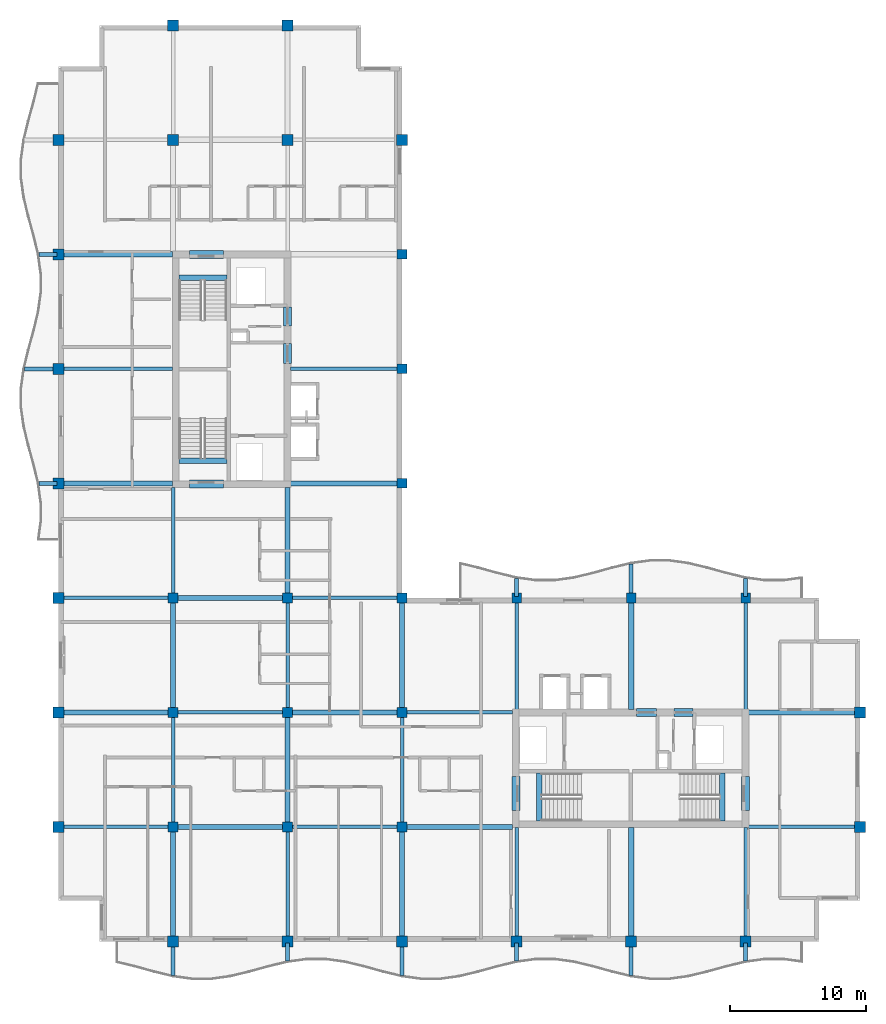
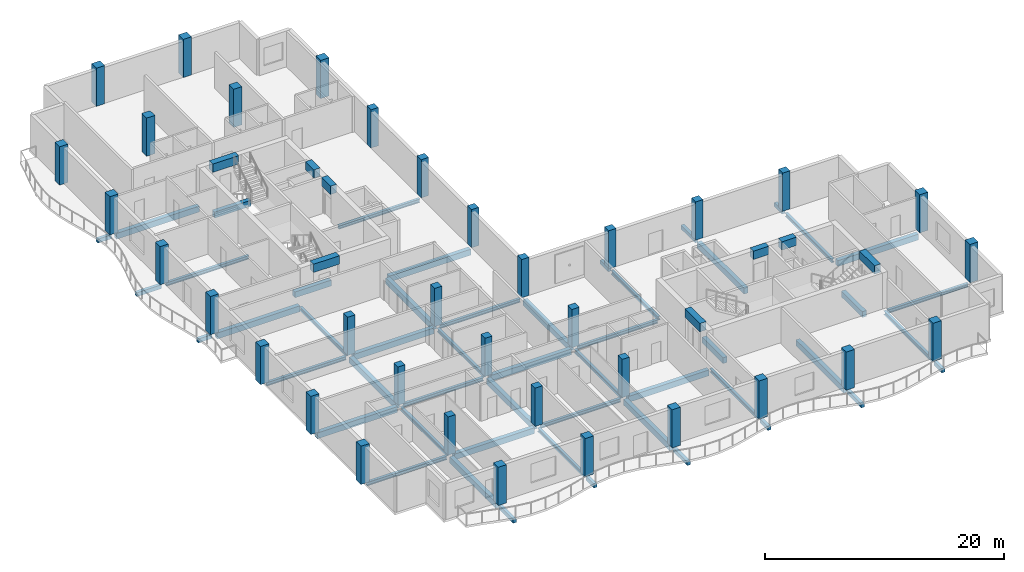
# One storey, part 1 of 12: 59 beams, 35 columns.
"""IFC4 building model written with IfcOpenShell, lengths in metres."""

from ifc_helpers import new_model, si_unit, direction, frame, origin, origin_2d, place, context, subcontext, project, spatial, rectangle, i_section, extrude, material, material_profile, profile_set, type_object, element, save


model = new_model("IFC4")

# Units and contexts
model_context = context("Model", 3, precision=1e-05, world=origin(), true_north=direction((0.0, 1.0)))
body_context = subcontext(model_context, "Body", "Model", "MODEL_VIEW")
ifc_project = project(units=[si_unit("LENGTHUNIT", "METRE"), si_unit("AREAUNIT", "SQUARE_METRE"), si_unit("VOLUMEUNIT", "CUBIC_METRE"), si_unit("PLANEANGLEUNIT", "RADIAN"), si_unit("MASSUNIT", "GRAM", prefix="KILO")], contexts=[model_context])

# Site, building, storey
site_placement = place(None, origin())
site = spatial("IfcSite", under=ifc_project, at=site_placement, CompositionType="ELEMENT")
building_placement = place(site_placement, origin())
building = spatial("IfcBuilding", under=site, at=building_placement, Name="Koriwani Terraces Tower", CompositionType="ELEMENT")
storey_placement = place(building_placement, frame((0.0, 0.0, 328.10009765625)))
storey = spatial("IfcBuildingStorey", under=building, at=storey_placement, Name="L81", CompositionType="ELEMENT", Elevation=328.10009765625)

# Columns
ifc_material_1 = material(Name="Concrete C50/60", Category="concrete")
ifc_material_profile_1 = material_profile(ifc_material_1, rectangle(XDim=0.699951171875, YDim=0.699951171875, at=origin_2d()), Name="Concrete C50/60", Category="LoadBearing")
ifc_profile_set_1 = profile_set([ifc_material_profile_1], Name="Concrete C50/60")
column_type_1 = type_object("IfcColumnType", Name="COL_RC_700X700", PredefinedType="COLUMN", material=ifc_profile_set_1)
for number, where, z_axis, x_axis, name in (
    (1, (16.800048828125, 16.800048828125, 0.0), (0.0, 0.0, 1.0), (1.0, 0.0, 0.0), "L81 Column 3/C"),
    (2, (16.800048828125, 25.199951171875, 0.0), (0.0, 0.0, 1.0), (1.0, 0.0, 0.0), "L81 Column 3/D"),
    (3, (16.800048828125, 33.60009765625, 0.0), (0.0, 0.0, 1.0), (1.0, 0.0, 0.0), "L81 Column 3/E"),
    (4, (25.199951171875, 16.800048828125, 0.0), (0.0, 0.0, 1.0), (1.0, 0.0, 0.0), "L81 Column 4/C"),
    (5, (25.199951171875, 25.199951171875, 0.0), (0.0, 0.0, 1.0), (1.0, 0.0, 0.0), "L81 Column 4/D"),
    (6, (25.199951171875, 33.60009765625, 0.0), (0.0, 0.0, 1.0), (1.0, 0.0, 0.0), "L81 Column 4/E"),
    (7, (33.60009765625, 16.800048828125, 0.0), (0.0, 0.0, 1.0), (1.0, 0.0, 0.0), "L81 Column 5/C"),
    (8, (33.60009765625, 25.199951171875, 0.0), (0.0, 0.0, 1.0), (1.0, 0.0, 0.0), "L81 Column 5/D"),
    (9, (33.60009765625, 33.60009765625, 0.0), (0.0, 0.0, 1.0), (1.0, 0.0, 0.0), "L81 Column 5/E"),
    (10, (33.60009765625, 42.0, 0.0), (0.0, 0.0, 1.0), (1.0, 0.0, 0.0), "L81 Column 5/F"),
    (11, (33.60009765625, 50.39990234375, 0.0), (0.0, 0.0, 1.0), (1.0, 0.0, 0.0), "L81 Column 5/G"),
    (12, (33.60009765625, 58.800048828125, 0.0), (0.0, 0.0, 1.0), (1.0, 0.0, 0.0), "L81 Column 5/H"),
    (13, (42.0, 33.60009765625, 0.0), (0.0, 0.0, 1.0), (1.0, 0.0, 0.0), "L81 Column 6/E"),
    (14, (50.39990234375, 33.60009765625, 0.0), (0.0, 0.0, 1.0), (1.0, 0.0, 0.0), "L81 Column 7/E"),
    (15, (58.800048828125, 33.60009765625, 0.0), (0.0, 0.0, 1.0), (1.0, 0.0, 0.0), "L81 Column 8/E"),
):
    element("IfcColumn", number, at=place(storey_placement, frame(where, z_axis=z_axis, x_axis=x_axis)), inside=storey, type_object=column_type_1, Name=name, PredefinedType="COLUMN", context=body_context, shape_type="SweptSolid", body=[
        extrude(rectangle(XDim=0.699951171875, YDim=0.699951171875, at=origin_2d()), origin(), (0.0, 0.0, 1.0), 3.89990234375),
    ])
ifc_material_profile_2 = material_profile(ifc_material_1, rectangle(XDim=0.800048828125, YDim=0.800048828125, at=origin_2d()), Name="Concrete C50/60", Category="LoadBearing")
ifc_profile_set_2 = profile_set([ifc_material_profile_2], Name="Concrete C50/60")
column_type_2 = type_object("IfcColumnType", Name="COL_RC_800X800", PredefinedType="COLUMN", material=ifc_profile_set_2)
for number, where, z_axis, x_axis, name in (
    (16, (8.39990234375, 16.800048828125, 0.0), (0.0, 0.0, 1.0), (1.0, 0.0, 0.0), "L81 Column 2/C"),
    (17, (8.39990234375, 25.199951171875, 0.0), (0.0, 0.0, 1.0), (1.0, 0.0, 0.0), "L81 Column 2/D"),
    (18, (8.39990234375, 33.60009765625, 0.0), (0.0, 0.0, 1.0), (1.0, 0.0, 0.0), "L81 Column 2/E"),
    (19, (8.39990234375, 42.0, 0.0), (0.0, 0.0, 1.0), (1.0, 0.0, 0.0), "L81 Column 2/F"),
    (20, (8.39990234375, 50.39990234375, 0.0), (0.0, 0.0, 1.0), (1.0, 0.0, 0.0), "L81 Column 2/G"),
    (21, (8.39990234375, 58.800048828125, 0.0), (0.0, 0.0, 1.0), (1.0, 0.0, 0.0), "L81 Column 2/H"),
    (22, (8.39990234375, 67.199951171875, 0.0), (0.0, 0.0, 1.0), (1.0, 0.0, 0.0), "L81 Column 2/I"),
    (23, (16.800048828125, 8.39990234375, 0.0), (0.0, 0.0, 1.0), (1.0, 0.0, 0.0), "L81 Column 3/B"),
    (24, (16.800048828125, 67.199951171875, 0.0), (0.0, 0.0, 1.0), (1.0, 0.0, 0.0), "L81 Column 3/I"),
    (25, (16.800048828125, 75.60009765625, 0.0), (0.0, 0.0, 1.0), (1.0, 0.0, 0.0), "L81 Column 3/J"),
    (26, (25.199951171875, 8.39990234375, 0.0), (0.0, 0.0, 1.0), (1.0, 0.0, 0.0), "L81 Column 4/B"),
    (27, (25.199951171875, 67.199951171875, 0.0), (0.0, 0.0, 1.0), (1.0, 0.0, 0.0), "L81 Column 4/I"),
    (28, (25.199951171875, 75.60009765625, 0.0), (0.0, 0.0, 1.0), (1.0, 0.0, 0.0), "L81 Column 4/J"),
    (29, (33.60009765625, 8.39990234375, 0.0), (0.0, 0.0, 1.0), (1.0, 0.0, 0.0), "L81 Column 5/B"),
    (30, (33.60009765625, 67.199951171875, 0.0), (0.0, 0.0, 1.0), (1.0, 0.0, 0.0), "L81 Column 5/I"),
    (31, (42.0, 8.39990234375, 0.0), (0.0, 0.0, 1.0), (1.0, 0.0, 0.0), "L81 Column 6/B"),
    (32, (50.39990234375, 8.39990234375, 0.0), (0.0, 0.0, 1.0), (1.0, 0.0, 0.0), "L81 Column 7/B"),
    (33, (58.800048828125, 8.39990234375, 0.0), (0.0, 0.0, 1.0), (1.0, 0.0, 0.0), "L81 Column 8/B"),
    (34, (67.199951171875, 16.800048828125, 0.0), (0.0, 0.0, 1.0), (1.0, 0.0, 0.0), "L81 Column 9/C"),
    (35, (67.199951171875, 25.199951171875, 0.0), (0.0, 0.0, 1.0), (1.0, 0.0, 0.0), "L81 Column 9/D"),
):
    element("IfcColumn", number, at=place(storey_placement, frame(where, z_axis=z_axis, x_axis=x_axis)), inside=storey, type_object=column_type_2, Name=name, PredefinedType="COLUMN", context=body_context, shape_type="SweptSolid", body=[
        extrude(rectangle(XDim=0.800048828125, YDim=0.800048828125, at=origin_2d()), origin(), (0.0, 0.0, 1.0), 3.89990234375),
    ])

# Beams
ifc_material_2 = material(Name="Concrete C40/50", Category="concrete")
ifc_material_profile_3 = material_profile(ifc_material_2, rectangle(XDim=0.300048828125, YDim=0.39990234375, at=origin_2d()), Name="Concrete C40/50", Category="LoadBearing")
ifc_profile_set_3 = profile_set([ifc_material_profile_3], Name="Concrete C40/50")
beam_type_1 = type_object("IfcBeamType", Name="BEAM_RC_BALCONY_RIB_300X400", PredefinedType="JOIST", material=ifc_profile_set_3)
beam_1_placement = place(storey_placement, frame((16.800048828125, 5.919677734375, -0.43017578125), z_axis=(0.0, 1.0, 0.0), x_axis=(-1.0, 0.0, 0.0)))
element("IfcBeam", 36, at=beam_1_placement, inside=storey, type_object=beam_type_1, Name="L81 Balcony Bracket Rib S-1", PredefinedType="JOIST", context=body_context, shape_type="SweptSolid", body=[
    extrude(rectangle(XDim=0.300048828125, YDim=0.39990234375, at=origin_2d()), origin(), (0.0, 0.0, 1.0), 2.38037109375),
])
beam_2_placement = place(storey_placement, frame((25.199951171875, 6.980224609375, -0.43017578125), z_axis=(0.0, 1.0, 0.0), x_axis=(-1.0, 0.0, 0.0)))
element("IfcBeam", 37, at=beam_2_placement, inside=storey, type_object=beam_type_1, Name="L81 Balcony Bracket Rib S-2", PredefinedType="JOIST", context=body_context, shape_type="SweptSolid", body=[
    extrude(rectangle(XDim=0.300048828125, YDim=0.39990234375, at=origin_2d()), origin(), (0.0, 0.0, 1.0), 1.31982421875),
])
beam_3_placement = place(storey_placement, frame((33.60009765625, 5.919677734375, -0.43017578125), z_axis=(0.0, 1.0, 0.0), x_axis=(-1.0, 0.0, 0.0)))
element("IfcBeam", 38, at=beam_3_placement, inside=storey, type_object=beam_type_1, Name="L81 Balcony Bracket Rib S-3", PredefinedType="JOIST", context=body_context, shape_type="SweptSolid", body=[
    extrude(rectangle(XDim=0.300048828125, YDim=0.39990234375, at=origin_2d()), origin(), (0.0, 0.0, 1.0), 2.38037109375),
])
beam_4_placement = place(storey_placement, frame((42.0, 6.980224609375, -0.43017578125), z_axis=(0.0, 1.0, 0.0), x_axis=(-1.0, 0.0, 0.0)))
element("IfcBeam", 39, at=beam_4_placement, inside=storey, type_object=beam_type_1, Name="L81 Balcony Bracket Rib S-4", PredefinedType="JOIST", context=body_context, shape_type="SweptSolid", body=[
    extrude(rectangle(XDim=0.300048828125, YDim=0.39990234375, at=origin_2d()), origin(), (0.0, 0.0, 1.0), 1.31982421875),
])
beam_5_placement = place(storey_placement, frame((50.39990234375, 5.919677734375, -0.43017578125), z_axis=(0.0, 1.0, 0.0), x_axis=(-1.0, 0.0, 0.0)))
element("IfcBeam", 40, at=beam_5_placement, inside=storey, type_object=beam_type_1, Name="L81 Balcony Bracket Rib S-5", PredefinedType="JOIST", context=body_context, shape_type="SweptSolid", body=[
    extrude(rectangle(XDim=0.300048828125, YDim=0.39990234375, at=origin_2d()), origin(), (0.0, 0.0, 1.0), 2.38037109375),
])
for number, where, z_axis, x_axis, name in (
    (41, (58.800048828125, 6.980224609375, -0.43017578125), (0.0, 1.0, 0.0), (-1.0, 0.0, 0.0), "L81 Balcony Bracket Rib S-6"),
    (42, (6.980224609375, 42.0, -0.43017578125), (1.0, 0.0, 0.0), (0.0, 1.0, 0.0), "L81 Balcony Bracket Rib W-1"),
):
    element("IfcBeam", number, at=place(storey_placement, frame(where, z_axis=z_axis, x_axis=x_axis)), inside=storey, type_object=beam_type_1, Name=name, PredefinedType="JOIST", context=body_context, shape_type="SweptSolid", body=[
        extrude(rectangle(XDim=0.300048828125, YDim=0.39990234375, at=origin_2d()), origin(), (0.0, 0.0, 1.0), 1.31982421875),
    ])
beam_6_placement = place(storey_placement, frame((5.919677734375, 50.39990234375, -0.43017578125), z_axis=(1.0, 0.0, 0.0), x_axis=(0.0, 1.0, 0.0)))
element("IfcBeam", 43, at=beam_6_placement, inside=storey, type_object=beam_type_1, Name="L81 Balcony Bracket Rib W-2", PredefinedType="JOIST", context=body_context, shape_type="SweptSolid", body=[
    extrude(rectangle(XDim=0.300048828125, YDim=0.39990234375, at=origin_2d()), origin(), (0.0, 0.0, 1.0), 2.38037109375),
])
for number, where, z_axis, x_axis, name in (
    (44, (6.980224609375, 58.800048828125, -0.43017578125), (1.0, 0.0, 0.0), (0.0, 1.0, 0.0), "L81 Balcony Bracket Rib W-3"),
    (45, (42.0, 33.699951171875, -0.43017578125), (0.0, 1.0, 0.0), (-1.0, 0.0, 0.0), "L81 Balcony Bracket Rib NE-1"),
):
    element("IfcBeam", number, at=place(storey_placement, frame(where, z_axis=z_axis, x_axis=x_axis)), inside=storey, type_object=beam_type_1, Name=name, PredefinedType="JOIST", context=body_context, shape_type="SweptSolid", body=[
        extrude(rectangle(XDim=0.300048828125, YDim=0.39990234375, at=origin_2d()), origin(), (0.0, 0.0, 1.0), 1.31982421875),
    ])
beam_7_placement = place(storey_placement, frame((50.39990234375, 33.699951171875, -0.43017578125), z_axis=(0.0, 1.0, 0.0), x_axis=(-1.0, 0.0, 0.0)))
element("IfcBeam", 46, at=beam_7_placement, inside=storey, type_object=beam_type_1, Name="L81 Balcony Bracket Rib NE-2", PredefinedType="JOIST", context=body_context, shape_type="SweptSolid", body=[
    extrude(rectangle(XDim=0.300048828125, YDim=0.39990234375, at=origin_2d()), origin(), (0.0, 0.0, 1.0), 2.38037109375),
])
beam_8_placement = place(storey_placement, frame((58.800048828125, 33.699951171875, -0.43017578125), z_axis=(0.0, 1.0, 0.0), x_axis=(-1.0, 0.0, 0.0)))
element("IfcBeam", 47, at=beam_8_placement, inside=storey, type_object=beam_type_1, Name="L81 Balcony Bracket Rib NE-3", PredefinedType="JOIST", context=body_context, shape_type="SweptSolid", body=[
    extrude(rectangle(XDim=0.300048828125, YDim=0.39990234375, at=origin_2d()), origin(), (0.0, 0.0, 1.0), 1.31982421875),
])
ifc_material_profile_4 = material_profile(ifc_material_1, rectangle(XDim=0.60009765625, YDim=0.85009765625, at=origin_2d()), Name="Concrete C50/60", Category="LoadBearing")
ifc_profile_set_4 = profile_set([ifc_material_profile_4], Name="Concrete C50/60")
beam_type_2 = type_object("IfcBeamType", Name="BEAM_RC_COUPLING_600X850", PredefinedType="LINTEL", material=ifc_profile_set_4)
beam_9_placement = place(storey_placement, frame((25.199951171875, 50.800048828125, 3.244873046875), z_axis=(0.0, 1.0, 0.0), x_axis=(-1.0, 0.0, 0.0)))
element("IfcBeam", 48, at=beam_9_placement, inside=storey, type_object=beam_type_2, Name="L81 Core Coupling Lintel Beam WE1", PredefinedType="LINTEL", context=body_context, shape_type="SweptSolid", body=[
    extrude(rectangle(XDim=0.60009765625, YDim=0.85009765625, at=origin_2d()), origin(), (0.0, 0.0, 1.0), 1.47998046875),
])
beam_10_placement = place(storey_placement, frame((25.199951171875, 53.550048828125, 3.244873046875), z_axis=(0.0, 1.0, 0.0), x_axis=(-1.0, 0.0, 0.0)))
element("IfcBeam", 49, at=beam_10_placement, inside=storey, type_object=beam_type_2, Name="L81 Core Coupling Lintel Beam WE2", PredefinedType="LINTEL", context=body_context, shape_type="SweptSolid", body=[
    extrude(rectangle(XDim=0.60009765625, YDim=0.85009765625, at=origin_2d()), origin(), (0.0, 0.0, 1.0), 1.39990234375),
])
for number, where, z_axis, x_axis, name in (
    (50, (18.0, 41.949951171875, 3.244873046875), (1.0, 0.0, 0.0), (0.0, 1.0, 0.0), "L81 Core Coupling Lintel Beam WS"),
    (51, (18.0, 58.800048828125, 3.244873046875), (1.0, 0.0, 0.0), (0.0, 1.0, 0.0), "L81 Core Coupling Lintel Beam WN"),
):
    element("IfcBeam", number, at=place(storey_placement, frame(where, z_axis=z_axis, x_axis=x_axis)), inside=storey, type_object=beam_type_2, Name=name, PredefinedType="LINTEL", context=body_context, shape_type="SweptSolid", body=[
        extrude(rectangle(XDim=0.60009765625, YDim=0.85009765625, at=origin_2d()), origin(), (0.0, 0.0, 1.0), 2.5),
    ])
beam_11_placement = place(storey_placement, frame((50.800048828125, 25.199951171875, 3.244873046875), z_axis=(1.0, 0.0, 0.0), x_axis=(0.0, 1.0, 0.0)))
element("IfcBeam", 52, at=beam_11_placement, inside=storey, type_object=beam_type_2, Name="L81 Core Coupling Lintel Beam EN1", PredefinedType="LINTEL", context=body_context, shape_type="SweptSolid", body=[
    extrude(rectangle(XDim=0.60009765625, YDim=0.85009765625, at=origin_2d()), origin(), (0.0, 0.0, 1.0), 1.47998046875),
])
beam_12_placement = place(storey_placement, frame((53.550048828125, 25.199951171875, 3.244873046875), z_axis=(1.0, 0.0, 0.0), x_axis=(0.0, 1.0, 0.0)))
element("IfcBeam", 53, at=beam_12_placement, inside=storey, type_object=beam_type_2, Name="L81 Core Coupling Lintel Beam EN2", PredefinedType="LINTEL", context=body_context, shape_type="SweptSolid", body=[
    extrude(rectangle(XDim=0.60009765625, YDim=0.85009765625, at=origin_2d()), origin(), (0.0, 0.0, 1.0), 1.39990234375),
])
for number, where, z_axis, x_axis, name in (
    (54, (41.949951171875, 18.0, 3.244873046875), (0.0, 1.0, 0.0), (-1.0, 0.0, 0.0), "L81 Core Coupling Lintel Beam EW"),
    (55, (58.800048828125, 18.0, 3.244873046875), (0.0, 1.0, 0.0), (-1.0, 0.0, 0.0), "L81 Core Coupling Lintel Beam EE"),
):
    element("IfcBeam", number, at=place(storey_placement, frame(where, z_axis=z_axis, x_axis=x_axis)), inside=storey, type_object=beam_type_2, Name=name, PredefinedType="LINTEL", context=body_context, shape_type="SweptSolid", body=[
        extrude(rectangle(XDim=0.60009765625, YDim=0.85009765625, at=origin_2d()), origin(), (0.0, 0.0, 1.0), 2.5),
    ])
ifc_material_profile_5 = material_profile(ifc_material_2, rectangle(XDim=0.39990234375, YDim=0.60009765625, at=origin_2d()), Name="Concrete C40/50", Category="LoadBearing")
ifc_profile_set_5 = profile_set([ifc_material_profile_5], Name="Concrete C40/50")
beam_type_3 = type_object("IfcBeamType", Name="BEAM_RC_GRID_400X600", PredefinedType="BEAM", material=ifc_profile_set_5)
for number, where, z_axis, x_axis, name in (
    (56, (17.25, 43.655029296875, -0.300048828125), (1.0, 0.0, 0.0), (0.0, 1.0, 0.0), "L81 Stairwell Header Trimmer Beam ST-W1"),
    (57, (17.25, 57.094970703125, -0.300048828125), (1.0, 0.0, 0.0), (0.0, 1.0, 0.0), "L81 Stairwell Header Trimmer Beam ST-W2"),
    (58, (43.655029296875, 17.25, -0.300048828125), (0.0, 1.0, 0.0), (-1.0, 0.0, 0.0), "L81 Stairwell Header Trimmer Beam ST-E1"),
    (59, (57.094970703125, 17.25, -0.300048828125), (0.0, 1.0, 0.0), (-1.0, 0.0, 0.0), "L81 Stairwell Header Trimmer Beam ST-E2"),
):
    element("IfcBeam", number, at=place(storey_placement, frame(where, z_axis=z_axis, x_axis=x_axis)), inside=storey, type_object=beam_type_3, Name=name, PredefinedType="BEAM", context=body_context, shape_type="SweptSolid", body=[
        extrude(rectangle(XDim=0.39990234375, YDim=0.60009765625, at=origin_2d()), origin(), (0.0, 0.0, 1.0), 3.5),
    ])
beam_13_placement = place(storey_placement, frame((17.1298828125, 16.800048828125, -0.530029296875), z_axis=(1.0, 0.0, 0.0), x_axis=(0.0, 1.0, 0.0)))
element("IfcBeam", 60, at=beam_13_placement, inside=storey, type_object=beam_type_3, Name="L81 Grid Beam C (16.8-25.2m)", PredefinedType="BEAM", context=body_context, shape_type="SweptSolid", body=[
    extrude(rectangle(XDim=0.39990234375, YDim=0.60009765625, at=origin_2d()), origin(), (0.0, 0.0, 1.0), 7.740234375),
])
beam_14_placement = place(storey_placement, frame((33.929931640625, 16.800048828125, -0.530029296875), z_axis=(1.0, 0.0, 0.0), x_axis=(0.0, 1.0, 0.0)))
element("IfcBeam", 61, at=beam_14_placement, inside=storey, type_object=beam_type_3, Name="L81 Grid Beam C (33.6-42.0m)", PredefinedType="BEAM", context=body_context, shape_type="SweptSolid", body=[
    extrude(rectangle(XDim=0.39990234375, YDim=0.60009765625, at=origin_2d()), origin(), (0.0, 0.0, 1.0), 7.7900390625),
])
beam_15_placement = place(storey_placement, frame((8.780029296875, 25.199951171875, -0.530029296875), z_axis=(1.0, 0.0, 0.0), x_axis=(0.0, 1.0, 0.0)))
element("IfcBeam", 62, at=beam_15_placement, inside=storey, type_object=beam_type_3, Name="L81 Grid Beam D (8.4-16.8m)", PredefinedType="BEAM", context=body_context, shape_type="SweptSolid", body=[
    extrude(rectangle(XDim=0.39990234375, YDim=0.60009765625, at=origin_2d()), origin(), (0.0, 0.0, 1.0), 7.68994140625),
])
beam_16_placement = place(storey_placement, frame((25.530029296875, 25.199951171875, -0.530029296875), z_axis=(1.0, 0.0, 0.0), x_axis=(0.0, 1.0, 0.0)))
element("IfcBeam", 63, at=beam_16_placement, inside=storey, type_object=beam_type_3, Name="L81 Grid Beam D (25.2-33.6m)", PredefinedType="BEAM", context=body_context, shape_type="SweptSolid", body=[
    extrude(rectangle(XDim=0.39990234375, YDim=0.60009765625, at=origin_2d()), origin(), (0.0, 0.0, 1.0), 7.739990234375),
])
beam_17_placement = place(storey_placement, frame((59.030029296875, 25.199951171875, -0.530029296875), z_axis=(1.0, 0.0, 0.0), x_axis=(0.0, 1.0, 0.0)))
element("IfcBeam", 64, at=beam_17_placement, inside=storey, type_object=beam_type_3, Name="L81 Grid Beam D (58.8-67.2m)", PredefinedType="BEAM", context=body_context, shape_type="SweptSolid", body=[
    extrude(rectangle(XDim=0.39990234375, YDim=0.60009765625, at=origin_2d()), origin(), (0.0, 0.0, 1.0), 7.7900390625),
])
beam_18_placement = place(storey_placement, frame((17.1298828125, 33.60009765625, -0.530029296875), z_axis=(1.0, 0.0, 0.0), x_axis=(0.0, 1.0, 0.0)))
element("IfcBeam", 65, at=beam_18_placement, inside=storey, type_object=beam_type_3, Name="L81 Grid Beam E (16.8-25.2m)", PredefinedType="BEAM", context=body_context, shape_type="SweptSolid", body=[
    extrude(rectangle(XDim=0.39990234375, YDim=0.60009765625, at=origin_2d()), origin(), (0.0, 0.0, 1.0), 7.740234375),
])
beam_19_placement = place(storey_placement, frame((8.780029296875, 42.0, -0.530029296875), z_axis=(1.0, 0.0, 0.0), x_axis=(0.0, 1.0, 0.0)))
element("IfcBeam", 66, at=beam_19_placement, inside=storey, type_object=beam_type_3, Name="L81 Grid Beam F (8.4-16.8m)", PredefinedType="BEAM", context=body_context, shape_type="SweptSolid", body=[
    extrude(rectangle(XDim=0.39990234375, YDim=0.60009765625, at=origin_2d()), origin(), (0.0, 0.0, 1.0), 7.989990234375),
])
beam_20_placement = place(storey_placement, frame((25.429931640625, 42.0, -0.530029296875), z_axis=(1.0, 0.0, 0.0), x_axis=(0.0, 1.0, 0.0)))
element("IfcBeam", 67, at=beam_20_placement, inside=storey, type_object=beam_type_3, Name="L81 Grid Beam F (25.2-33.6m)", PredefinedType="BEAM", context=body_context, shape_type="SweptSolid", body=[
    extrude(rectangle(XDim=0.39990234375, YDim=0.60009765625, at=origin_2d()), origin(), (0.0, 0.0, 1.0), 7.840087890625),
])
beam_21_placement = place(storey_placement, frame((8.780029296875, 58.800048828125, -0.530029296875), z_axis=(1.0, 0.0, 0.0), x_axis=(0.0, 1.0, 0.0)))
element("IfcBeam", 68, at=beam_21_placement, inside=storey, type_object=beam_type_3, Name="L81 Grid Beam H (8.4-16.8m)", PredefinedType="BEAM", context=body_context, shape_type="SweptSolid", body=[
    extrude(rectangle(XDim=0.39990234375, YDim=0.60009765625, at=origin_2d()), origin(), (0.0, 0.0, 1.0), 7.989990234375),
])
beam_22_placement = place(storey_placement, frame((16.800048828125, 8.780029296875, -0.530029296875), z_axis=(0.0, 1.0, 0.0), x_axis=(-1.0, 0.0, 0.0)))
element("IfcBeam", 69, at=beam_22_placement, inside=storey, type_object=beam_type_3, Name="L81 Grid Beam 3 (8.4-16.8m)", PredefinedType="BEAM", context=body_context, shape_type="SweptSolid", body=[
    extrude(rectangle(XDim=0.39990234375, YDim=0.60009765625, at=origin_2d()), origin(), (0.0, 0.0, 1.0), 7.68994140625),
])
beam_23_placement = place(storey_placement, frame((16.800048828125, 25.530029296875, -0.530029296875), z_axis=(0.0, 1.0, 0.0), x_axis=(-1.0, 0.0, 0.0)))
element("IfcBeam", 70, at=beam_23_placement, inside=storey, type_object=beam_type_3, Name="L81 Grid Beam 3 (25.2-33.6m)", PredefinedType="BEAM", context=body_context, shape_type="SweptSolid", body=[
    extrude(rectangle(XDim=0.39990234375, YDim=0.60009765625, at=origin_2d()), origin(), (0.0, 0.0, 1.0), 7.739990234375),
])
beam_24_placement = place(storey_placement, frame((25.199951171875, 17.1298828125, -0.530029296875), z_axis=(0.0, 1.0, 0.0), x_axis=(-1.0, 0.0, 0.0)))
element("IfcBeam", 71, at=beam_24_placement, inside=storey, type_object=beam_type_3, Name="L81 Grid Beam 4 (16.8-25.2m)", PredefinedType="BEAM", context=body_context, shape_type="SweptSolid", body=[
    extrude(rectangle(XDim=0.39990234375, YDim=0.60009765625, at=origin_2d()), origin(), (0.0, 0.0, 1.0), 7.740234375),
])
beam_25_placement = place(storey_placement, frame((25.199951171875, 33.929931640625, -0.530029296875), z_axis=(0.0, 1.0, 0.0), x_axis=(-1.0, 0.0, 0.0)))
element("IfcBeam", 72, at=beam_25_placement, inside=storey, type_object=beam_type_3, Name="L81 Grid Beam 4 (33.6-42.0m)", PredefinedType="BEAM", context=body_context, shape_type="SweptSolid", body=[
    extrude(rectangle(XDim=0.39990234375, YDim=0.60009765625, at=origin_2d()), origin(), (0.0, 0.0, 1.0), 7.7900390625),
])
beam_26_placement = place(storey_placement, frame((33.60009765625, 8.780029296875, -0.530029296875), z_axis=(0.0, 1.0, 0.0), x_axis=(-1.0, 0.0, 0.0)))
element("IfcBeam", 73, at=beam_26_placement, inside=storey, type_object=beam_type_3, Name="L81 Grid Beam 5 (8.4-16.8m)", PredefinedType="BEAM", context=body_context, shape_type="SweptSolid", body=[
    extrude(rectangle(XDim=0.39990234375, YDim=0.60009765625, at=origin_2d()), origin(), (0.0, 0.0, 1.0), 7.68994140625),
])
beam_27_placement = place(storey_placement, frame((33.60009765625, 25.530029296875, -0.530029296875), z_axis=(0.0, 1.0, 0.0), x_axis=(-1.0, 0.0, 0.0)))
element("IfcBeam", 74, at=beam_27_placement, inside=storey, type_object=beam_type_3, Name="L81 Grid Beam 5 (25.2-33.6m)", PredefinedType="BEAM", context=body_context, shape_type="SweptSolid", body=[
    extrude(rectangle(XDim=0.39990234375, YDim=0.60009765625, at=origin_2d()), origin(), (0.0, 0.0, 1.0), 7.739990234375),
])
beam_28_placement = place(storey_placement, frame((50.39990234375, 8.780029296875, -0.530029296875), z_axis=(0.0, 1.0, 0.0), x_axis=(-1.0, 0.0, 0.0)))
element("IfcBeam", 75, at=beam_28_placement, inside=storey, type_object=beam_type_3, Name="L81 Grid Beam 7 (8.4-16.8m)", PredefinedType="BEAM", context=body_context, shape_type="SweptSolid", body=[
    extrude(rectangle(XDim=0.39990234375, YDim=0.60009765625, at=origin_2d()), origin(), (0.0, 0.0, 1.0), 7.989990234375),
])
beam_29_placement = place(storey_placement, frame((50.39990234375, 25.429931640625, -0.530029296875), z_axis=(0.0, 1.0, 0.0), x_axis=(-1.0, 0.0, 0.0)))
element("IfcBeam", 76, at=beam_29_placement, inside=storey, type_object=beam_type_3, Name="L81 Grid Beam 7 (25.2-33.6m)", PredefinedType="BEAM", context=body_context, shape_type="SweptSolid", body=[
    extrude(rectangle(XDim=0.39990234375, YDim=0.60009765625, at=origin_2d()), origin(), (0.0, 0.0, 1.0), 7.840087890625),
])
ifc_material_3 = material(Name="Steel ASTM A572 Grade 50", Category="steel")
ifc_material_profile_6 = material_profile(ifc_material_3, i_section(OverallWidth=0.257080078125, OverallDepth=0.363037109375, WebThickness=0.012939453125, FlangeThickness=0.021728515625, at=origin_2d()), Name="Steel ASTM A572 Grade 50", Category="LoadBearing")
ifc_profile_set_6 = profile_set([ifc_material_profile_6], Name="Steel ASTM A572 Grade 50")
beam_type_4 = type_object("IfcBeamType", Name="STEEL_BEAM_W360X122", PredefinedType="JOIST", material=ifc_profile_set_6)
beam_30_placement = place(storey_placement, frame((8.780029296875, 16.800048828125, -0.41162109375), z_axis=(1.0, 0.0, 0.0), x_axis=(0.0, 1.0, 0.0)))
element("IfcBeam", 77, at=beam_30_placement, inside=storey, type_object=beam_type_4, Name="L81 Grid Beam C (8.4-16.8m)", PredefinedType="JOIST", context=body_context, shape_type="SweptSolid", body=[
    extrude(i_section(OverallWidth=0.257080078125, OverallDepth=0.363037109375, WebThickness=0.012939453125, FlangeThickness=0.021728515625, at=origin_2d()), origin(), (0.0, 0.0, 1.0), 7.68994140625),
])
beam_31_placement = place(storey_placement, frame((25.530029296875, 16.800048828125, -0.41162109375), z_axis=(1.0, 0.0, 0.0), x_axis=(0.0, 1.0, 0.0)))
element("IfcBeam", 78, at=beam_31_placement, inside=storey, type_object=beam_type_4, Name="L81 Grid Beam C (25.2-33.6m)", PredefinedType="JOIST", context=body_context, shape_type="SweptSolid", body=[
    extrude(i_section(OverallWidth=0.257080078125, OverallDepth=0.363037109375, WebThickness=0.012939453125, FlangeThickness=0.021728515625, at=origin_2d()), origin(), (0.0, 0.0, 1.0), 7.739990234375),
])
beam_32_placement = place(storey_placement, frame((59.030029296875, 16.800048828125, -0.41162109375), z_axis=(1.0, 0.0, 0.0), x_axis=(0.0, 1.0, 0.0)))
element("IfcBeam", 79, at=beam_32_placement, inside=storey, type_object=beam_type_4, Name="L81 Grid Beam C (58.8-67.2m)", PredefinedType="JOIST", context=body_context, shape_type="SweptSolid", body=[
    extrude(i_section(OverallWidth=0.257080078125, OverallDepth=0.363037109375, WebThickness=0.012939453125, FlangeThickness=0.021728515625, at=origin_2d()), origin(), (0.0, 0.0, 1.0), 7.7900390625),
])
beam_33_placement = place(storey_placement, frame((17.1298828125, 25.199951171875, -0.41162109375), z_axis=(1.0, 0.0, 0.0), x_axis=(0.0, 1.0, 0.0)))
element("IfcBeam", 80, at=beam_33_placement, inside=storey, type_object=beam_type_4, Name="L81 Grid Beam D (16.8-25.2m)", PredefinedType="JOIST", context=body_context, shape_type="SweptSolid", body=[
    extrude(i_section(OverallWidth=0.257080078125, OverallDepth=0.363037109375, WebThickness=0.012939453125, FlangeThickness=0.021728515625, at=origin_2d()), origin(), (0.0, 0.0, 1.0), 7.740234375),
])
beam_34_placement = place(storey_placement, frame((33.929931640625, 25.199951171875, -0.41162109375), z_axis=(1.0, 0.0, 0.0), x_axis=(0.0, 1.0, 0.0)))
element("IfcBeam", 81, at=beam_34_placement, inside=storey, type_object=beam_type_4, Name="L81 Grid Beam D (33.6-42.0m)", PredefinedType="JOIST", context=body_context, shape_type="SweptSolid", body=[
    extrude(i_section(OverallWidth=0.257080078125, OverallDepth=0.363037109375, WebThickness=0.012939453125, FlangeThickness=0.021728515625, at=origin_2d()), origin(), (0.0, 0.0, 1.0), 7.7900390625),
])
beam_35_placement = place(storey_placement, frame((8.780029296875, 33.60009765625, -0.41162109375), z_axis=(1.0, 0.0, 0.0), x_axis=(0.0, 1.0, 0.0)))
element("IfcBeam", 82, at=beam_35_placement, inside=storey, type_object=beam_type_4, Name="L81 Grid Beam E (8.4-16.8m)", PredefinedType="JOIST", context=body_context, shape_type="SweptSolid", body=[
    extrude(i_section(OverallWidth=0.257080078125, OverallDepth=0.363037109375, WebThickness=0.012939453125, FlangeThickness=0.021728515625, at=origin_2d()), origin(), (0.0, 0.0, 1.0), 7.68994140625),
])
beam_36_placement = place(storey_placement, frame((25.530029296875, 33.60009765625, -0.41162109375), z_axis=(1.0, 0.0, 0.0), x_axis=(0.0, 1.0, 0.0)))
element("IfcBeam", 83, at=beam_36_placement, inside=storey, type_object=beam_type_4, Name="L81 Grid Beam E (25.2-33.6m)", PredefinedType="JOIST", context=body_context, shape_type="SweptSolid", body=[
    extrude(i_section(OverallWidth=0.257080078125, OverallDepth=0.363037109375, WebThickness=0.012939453125, FlangeThickness=0.021728515625, at=origin_2d()), origin(), (0.0, 0.0, 1.0), 7.739990234375),
])
beam_37_placement = place(storey_placement, frame((8.780029296875, 50.39990234375, -0.41162109375), z_axis=(1.0, 0.0, 0.0), x_axis=(0.0, 1.0, 0.0)))
element("IfcBeam", 84, at=beam_37_placement, inside=storey, type_object=beam_type_4, Name="L81 Grid Beam G (8.4-16.8m)", PredefinedType="JOIST", context=body_context, shape_type="SweptSolid", body=[
    extrude(i_section(OverallWidth=0.257080078125, OverallDepth=0.363037109375, WebThickness=0.012939453125, FlangeThickness=0.021728515625, at=origin_2d()), origin(), (0.0, 0.0, 1.0), 7.989990234375),
])
beam_38_placement = place(storey_placement, frame((25.429931640625, 50.39990234375, -0.41162109375), z_axis=(1.0, 0.0, 0.0), x_axis=(0.0, 1.0, 0.0)))
element("IfcBeam", 85, at=beam_38_placement, inside=storey, type_object=beam_type_4, Name="L81 Grid Beam G (25.2-33.6m)", PredefinedType="JOIST", context=body_context, shape_type="SweptSolid", body=[
    extrude(i_section(OverallWidth=0.257080078125, OverallDepth=0.363037109375, WebThickness=0.012939453125, FlangeThickness=0.021728515625, at=origin_2d()), origin(), (0.0, 0.0, 1.0), 7.840087890625),
])
beam_39_placement = place(storey_placement, frame((16.800048828125, 17.1298828125, -0.41162109375), z_axis=(0.0, 1.0, 0.0), x_axis=(-1.0, 0.0, 0.0)))
element("IfcBeam", 86, at=beam_39_placement, inside=storey, type_object=beam_type_4, Name="L81 Grid Beam 3 (16.8-25.2m)", PredefinedType="JOIST", context=body_context, shape_type="SweptSolid", body=[
    extrude(i_section(OverallWidth=0.257080078125, OverallDepth=0.363037109375, WebThickness=0.012939453125, FlangeThickness=0.021728515625, at=origin_2d()), origin(), (0.0, 0.0, 1.0), 7.740234375),
])
beam_40_placement = place(storey_placement, frame((16.800048828125, 33.929931640625, -0.41162109375), z_axis=(0.0, 1.0, 0.0), x_axis=(-1.0, 0.0, 0.0)))
element("IfcBeam", 87, at=beam_40_placement, inside=storey, type_object=beam_type_4, Name="L81 Grid Beam 3 (33.6-42.0m)", PredefinedType="JOIST", context=body_context, shape_type="SweptSolid", body=[
    extrude(i_section(OverallWidth=0.257080078125, OverallDepth=0.363037109375, WebThickness=0.012939453125, FlangeThickness=0.021728515625, at=origin_2d()), origin(), (0.0, 0.0, 1.0), 7.7900390625),
])
beam_41_placement = place(storey_placement, frame((25.199951171875, 8.780029296875, -0.41162109375), z_axis=(0.0, 1.0, 0.0), x_axis=(-1.0, 0.0, 0.0)))
element("IfcBeam", 88, at=beam_41_placement, inside=storey, type_object=beam_type_4, Name="L81 Grid Beam 4 (8.4-16.8m)", PredefinedType="JOIST", context=body_context, shape_type="SweptSolid", body=[
    extrude(i_section(OverallWidth=0.257080078125, OverallDepth=0.363037109375, WebThickness=0.012939453125, FlangeThickness=0.021728515625, at=origin_2d()), origin(), (0.0, 0.0, 1.0), 7.68994140625),
])
beam_42_placement = place(storey_placement, frame((25.199951171875, 25.530029296875, -0.41162109375), z_axis=(0.0, 1.0, 0.0), x_axis=(-1.0, 0.0, 0.0)))
element("IfcBeam", 89, at=beam_42_placement, inside=storey, type_object=beam_type_4, Name="L81 Grid Beam 4 (25.2-33.6m)", PredefinedType="JOIST", context=body_context, shape_type="SweptSolid", body=[
    extrude(i_section(OverallWidth=0.257080078125, OverallDepth=0.363037109375, WebThickness=0.012939453125, FlangeThickness=0.021728515625, at=origin_2d()), origin(), (0.0, 0.0, 1.0), 7.739990234375),
])
beam_43_placement = place(storey_placement, frame((33.60009765625, 17.1298828125, -0.41162109375), z_axis=(0.0, 1.0, 0.0), x_axis=(-1.0, 0.0, 0.0)))
element("IfcBeam", 90, at=beam_43_placement, inside=storey, type_object=beam_type_4, Name="L81 Grid Beam 5 (16.8-25.2m)", PredefinedType="JOIST", context=body_context, shape_type="SweptSolid", body=[
    extrude(i_section(OverallWidth=0.257080078125, OverallDepth=0.363037109375, WebThickness=0.012939453125, FlangeThickness=0.021728515625, at=origin_2d()), origin(), (0.0, 0.0, 1.0), 7.740234375),
])
beam_44_placement = place(storey_placement, frame((42.0, 8.780029296875, -0.41162109375), z_axis=(0.0, 1.0, 0.0), x_axis=(-1.0, 0.0, 0.0)))
element("IfcBeam", 91, at=beam_44_placement, inside=storey, type_object=beam_type_4, Name="L81 Grid Beam 6 (8.4-16.8m)", PredefinedType="JOIST", context=body_context, shape_type="SweptSolid", body=[
    extrude(i_section(OverallWidth=0.257080078125, OverallDepth=0.363037109375, WebThickness=0.012939453125, FlangeThickness=0.021728515625, at=origin_2d()), origin(), (0.0, 0.0, 1.0), 7.989990234375),
])
beam_45_placement = place(storey_placement, frame((42.0, 25.429931640625, -0.41162109375), z_axis=(0.0, 1.0, 0.0), x_axis=(-1.0, 0.0, 0.0)))
element("IfcBeam", 92, at=beam_45_placement, inside=storey, type_object=beam_type_4, Name="L81 Grid Beam 6 (25.2-33.6m)", PredefinedType="JOIST", context=body_context, shape_type="SweptSolid", body=[
    extrude(i_section(OverallWidth=0.257080078125, OverallDepth=0.363037109375, WebThickness=0.012939453125, FlangeThickness=0.021728515625, at=origin_2d()), origin(), (0.0, 0.0, 1.0), 7.840087890625),
])
beam_46_placement = place(storey_placement, frame((58.800048828125, 8.780029296875, -0.41162109375), z_axis=(0.0, 1.0, 0.0), x_axis=(-1.0, 0.0, 0.0)))
element("IfcBeam", 93, at=beam_46_placement, inside=storey, type_object=beam_type_4, Name="L81 Grid Beam 8 (8.4-16.8m)", PredefinedType="JOIST", context=body_context, shape_type="SweptSolid", body=[
    extrude(i_section(OverallWidth=0.257080078125, OverallDepth=0.363037109375, WebThickness=0.012939453125, FlangeThickness=0.021728515625, at=origin_2d()), origin(), (0.0, 0.0, 1.0), 7.989990234375),
])
beam_47_placement = place(storey_placement, frame((58.800048828125, 25.429931640625, -0.41162109375), z_axis=(0.0, 1.0, 0.0), x_axis=(-1.0, 0.0, 0.0)))
element("IfcBeam", 94, at=beam_47_placement, inside=storey, type_object=beam_type_4, Name="L81 Grid Beam 8 (25.2-33.6m)", PredefinedType="JOIST", context=body_context, shape_type="SweptSolid", body=[
    extrude(i_section(OverallWidth=0.257080078125, OverallDepth=0.363037109375, WebThickness=0.012939453125, FlangeThickness=0.021728515625, at=origin_2d()), origin(), (0.0, 0.0, 1.0), 7.840087890625),
])

save(model, "model.ifc")
